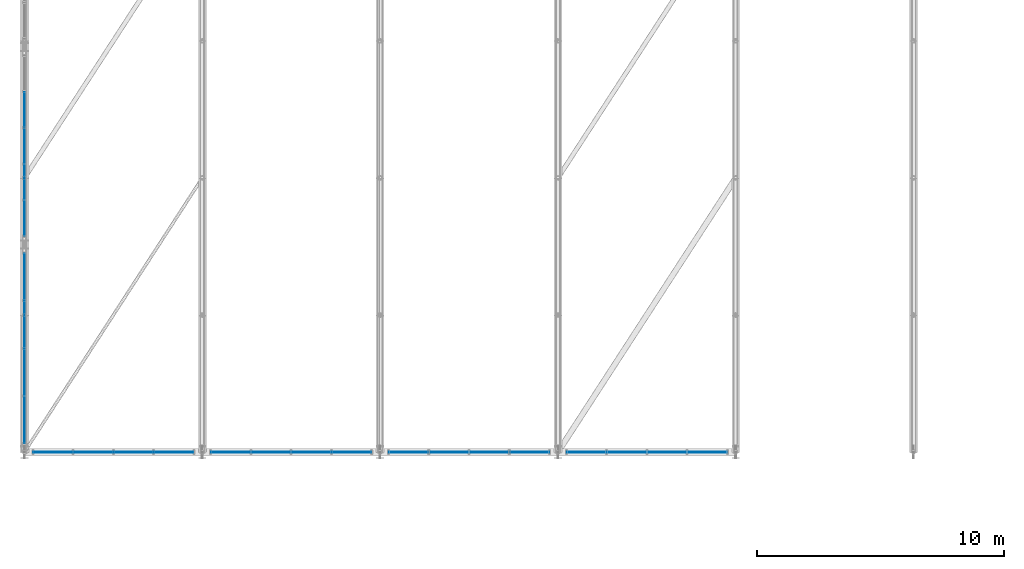
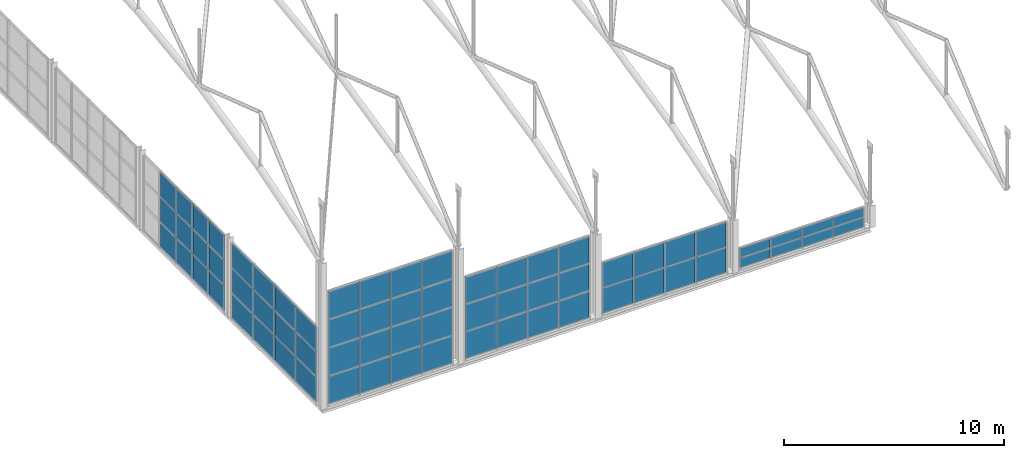
# One storey, part 120 of 153: 68 plates, 6 elements without a shape of their own.
"""IFC4 building model written with IfcOpenShell, lengths in metres."""

from ifc_helpers import new_model, si_unit, derived_unit, direction, frame, origin, origin_2d, place, context, subcontext, project, spatial, rectangle, extrude, material, layer, layer_set, type_object, element, aggregate, save


model = new_model("IFC4")

# Units and contexts
model_context = context("Model", 3, precision=1e-05, world=origin(), true_north=direction((0.0, 1.0)))
body_context = subcontext(model_context, "Body", "Model", "MODEL_VIEW")
ifc_project = project(units=[si_unit("LENGTHUNIT", "METRE"), si_unit("AREAUNIT", "SQUARE_METRE"), si_unit("VOLUMEUNIT", "CUBIC_METRE"), si_unit("PLANEANGLEUNIT", "RADIAN"), si_unit("MASSUNIT", "GRAM", prefix="KILO"), derived_unit("THERMALTRANSMITTANCEUNIT", [(si_unit("POWERUNIT", "WATT"), 1), (si_unit("LENGTHUNIT", "METRE"), -2), (si_unit("THERMODYNAMICTEMPERATUREUNIT", "KELVIN"), -1)])], contexts=[model_context])

# Site, building, storey
site_placement = place(None, origin())
site = spatial("IfcSite", under=ifc_project, at=site_placement, CompositionType="ELEMENT")
building_placement = place(site_placement, origin())
building = spatial("IfcBuilding", under=site, at=building_placement, Name="Keldorne Ridge Multi-Sports Centre", CompositionType="ELEMENT")
storey_placement = place(building_placement, frame((0.0, 0.0, 9.60009765625)))
storey = spatial("IfcBuildingStorey", under=building, at=storey_placement, Name="L02", CompositionType="ELEMENT", Elevation=9.60009765625)

# Curtain wall, plates
ifc_material_1 = material(Name="Anodized aluminium", Category="aluminium")
curtain_wall_type_1 = type_object("IfcCurtainWallType", Name="CW-CW-02", PredefinedType="NOTDEFINED", material=ifc_material_1)
curtain_wall_1_placement = place(storey_placement, origin())
curtain_wall_1 = element("IfcCurtainWall", 1, at=curtain_wall_1_placement, inside=storey, type_object=curtain_wall_type_1, Name="Main Hall south high clerestory 002", PredefinedType="NOTDEFINED")
ifc_material_2 = material(Name="Double low-e insulated glazing", Category="glass")
ifc_layer = layer(ifc_material_2, 0.035888671875)
ifc_layer_set = layer_set([ifc_layer])
plate_type = type_object("IfcPlateType", Name="PLT-GL-01", PredefinedType="CURTAIN_PANEL", material=ifc_layer_set)
plate_1_placement = place(storey_placement, frame((7.155029296875, 9.60009765625, 0.02001953125), z_axis=(0.0, 0.0, 1.0), x_axis=(1.0, 0.0, 0.0)))
plate_1 = element("IfcPlate", 2, at=plate_1_placement, type_object=plate_type, Name="CW-002 glazed panel 1.1", PredefinedType="CURTAIN_PANEL", context=body_context, shape_type="SweptSolid", body=[
    extrude(rectangle(XDim=1.590087890625, YDim=0.035888671875, at=origin_2d()), origin(), (0.0, 0.0, 1.0), 1.530029296875),
])
plate_2_placement = place(storey_placement, frame((7.155029296875, 9.60009765625, 1.58984375), z_axis=(0.0, 0.0, 1.0), x_axis=(1.0, 0.0, 0.0)))
plate_2 = element("IfcPlate", 3, at=plate_2_placement, type_object=plate_type, Name="CW-002 glazed panel 1.2", PredefinedType="CURTAIN_PANEL", context=body_context, shape_type="SweptSolid", body=[
    extrude(rectangle(XDim=1.590087890625, YDim=0.035888671875, at=origin_2d()), origin(), (0.0, 0.0, 1.0), 1.530029296875),
])
plate_3_placement = place(storey_placement, frame((7.155029296875, 9.60009765625, 3.15966796875), z_axis=(0.0, 0.0, 1.0), x_axis=(1.0, 0.0, 0.0)))
plate_3 = element("IfcPlate", 4, at=plate_3_placement, type_object=plate_type, Name="CW-002 glazed panel 1.3", PredefinedType="CURTAIN_PANEL", context=body_context, shape_type="SweptSolid", body=[
    extrude(rectangle(XDim=1.590087890625, YDim=0.035888671875, at=origin_2d()), origin(), (0.0, 0.0, 1.0), 1.530029296875),
])
plate_4_placement = place(storey_placement, frame((7.155029296875, 9.60009765625, 4.72998046875), z_axis=(0.0, 0.0, 1.0), x_axis=(1.0, 0.0, 0.0)))
plate_4 = element("IfcPlate", 5, at=plate_4_placement, type_object=plate_type, Name="CW-002 glazed panel 1.4", PredefinedType="CURTAIN_PANEL", context=body_context, shape_type="SweptSolid", body=[
    extrude(rectangle(XDim=1.590087890625, YDim=0.035888671875, at=origin_2d()), origin(), (0.0, 0.0, 1.0), 1.530029296875),
])
plate_5_placement = place(storey_placement, frame((8.784912109375, 9.60009765625, 0.02001953125), z_axis=(0.0, 0.0, 1.0), x_axis=(1.0, 0.0, 0.0)))
plate_5 = element("IfcPlate", 6, at=plate_5_placement, type_object=plate_type, Name="CW-002 glazed panel 2.1", PredefinedType="CURTAIN_PANEL", context=body_context, shape_type="SweptSolid", body=[
    extrude(rectangle(XDim=1.590087890625, YDim=0.035888671875, at=origin_2d()), origin(), (0.0, 0.0, 1.0), 1.530029296875),
])
plate_6_placement = place(storey_placement, frame((8.784912109375, 9.60009765625, 1.58984375), z_axis=(0.0, 0.0, 1.0), x_axis=(1.0, 0.0, 0.0)))
plate_6 = element("IfcPlate", 7, at=plate_6_placement, type_object=plate_type, Name="CW-002 glazed panel 2.2", PredefinedType="CURTAIN_PANEL", context=body_context, shape_type="SweptSolid", body=[
    extrude(rectangle(XDim=1.590087890625, YDim=0.035888671875, at=origin_2d()), origin(), (0.0, 0.0, 1.0), 1.530029296875),
])
plate_7_placement = place(storey_placement, frame((8.784912109375, 9.60009765625, 3.15966796875), z_axis=(0.0, 0.0, 1.0), x_axis=(1.0, 0.0, 0.0)))
plate_7 = element("IfcPlate", 8, at=plate_7_placement, type_object=plate_type, Name="CW-002 glazed panel 2.3", PredefinedType="CURTAIN_PANEL", context=body_context, shape_type="SweptSolid", body=[
    extrude(rectangle(XDim=1.590087890625, YDim=0.035888671875, at=origin_2d()), origin(), (0.0, 0.0, 1.0), 1.530029296875),
])
plate_8_placement = place(storey_placement, frame((8.784912109375, 9.60009765625, 4.72998046875), z_axis=(0.0, 0.0, 1.0), x_axis=(1.0, 0.0, 0.0)))
plate_8 = element("IfcPlate", 9, at=plate_8_placement, type_object=plate_type, Name="CW-002 glazed panel 2.4", PredefinedType="CURTAIN_PANEL", context=body_context, shape_type="SweptSolid", body=[
    extrude(rectangle(XDim=1.590087890625, YDim=0.035888671875, at=origin_2d()), origin(), (0.0, 0.0, 1.0), 1.530029296875),
])
plate_9_placement = place(storey_placement, frame((10.4150390625, 9.60009765625, 0.02001953125), z_axis=(0.0, 0.0, 1.0), x_axis=(1.0, 0.0, 0.0)))
plate_9 = element("IfcPlate", 10, at=plate_9_placement, type_object=plate_type, Name="CW-002 glazed panel 3.1", PredefinedType="CURTAIN_PANEL", context=body_context, shape_type="SweptSolid", body=[
    extrude(rectangle(XDim=1.590087890625, YDim=0.035888671875, at=origin_2d()), origin(), (0.0, 0.0, 1.0), 1.530029296875),
])
plate_10_placement = place(storey_placement, frame((10.4150390625, 9.60009765625, 1.58984375), z_axis=(0.0, 0.0, 1.0), x_axis=(1.0, 0.0, 0.0)))
plate_10 = element("IfcPlate", 11, at=plate_10_placement, type_object=plate_type, Name="CW-002 glazed panel 3.2", PredefinedType="CURTAIN_PANEL", context=body_context, shape_type="SweptSolid", body=[
    extrude(rectangle(XDim=1.590087890625, YDim=0.035888671875, at=origin_2d()), origin(), (0.0, 0.0, 1.0), 1.530029296875),
])
plate_11_placement = place(storey_placement, frame((10.4150390625, 9.60009765625, 3.15966796875), z_axis=(0.0, 0.0, 1.0), x_axis=(1.0, 0.0, 0.0)))
plate_11 = element("IfcPlate", 12, at=plate_11_placement, type_object=plate_type, Name="CW-002 glazed panel 3.3", PredefinedType="CURTAIN_PANEL", context=body_context, shape_type="SweptSolid", body=[
    extrude(rectangle(XDim=1.590087890625, YDim=0.035888671875, at=origin_2d()), origin(), (0.0, 0.0, 1.0), 1.530029296875),
])
plate_12_placement = place(storey_placement, frame((10.4150390625, 9.60009765625, 4.72998046875), z_axis=(0.0, 0.0, 1.0), x_axis=(1.0, 0.0, 0.0)))
plate_12 = element("IfcPlate", 13, at=plate_12_placement, type_object=plate_type, Name="CW-002 glazed panel 3.4", PredefinedType="CURTAIN_PANEL", context=body_context, shape_type="SweptSolid", body=[
    extrude(rectangle(XDim=1.590087890625, YDim=0.035888671875, at=origin_2d()), origin(), (0.0, 0.0, 1.0), 1.530029296875),
])
plate_13_placement = place(storey_placement, frame((12.044921875, 9.60009765625, 0.02001953125), z_axis=(0.0, 0.0, 1.0), x_axis=(1.0, 0.0, 0.0)))
plate_13 = element("IfcPlate", 14, at=plate_13_placement, type_object=plate_type, Name="CW-002 glazed panel 4.1", PredefinedType="CURTAIN_PANEL", context=body_context, shape_type="SweptSolid", body=[
    extrude(rectangle(XDim=1.590087890625, YDim=0.035888671875, at=origin_2d()), origin(), (0.0, 0.0, 1.0), 1.530029296875),
])
plate_14_placement = place(storey_placement, frame((12.044921875, 9.60009765625, 1.58984375), z_axis=(0.0, 0.0, 1.0), x_axis=(1.0, 0.0, 0.0)))
plate_14 = element("IfcPlate", 15, at=plate_14_placement, type_object=plate_type, Name="CW-002 glazed panel 4.2", PredefinedType="CURTAIN_PANEL", context=body_context, shape_type="SweptSolid", body=[
    extrude(rectangle(XDim=1.590087890625, YDim=0.035888671875, at=origin_2d()), origin(), (0.0, 0.0, 1.0), 1.530029296875),
])
plate_15_placement = place(storey_placement, frame((12.044921875, 9.60009765625, 3.15966796875), z_axis=(0.0, 0.0, 1.0), x_axis=(1.0, 0.0, 0.0)))
plate_15 = element("IfcPlate", 16, at=plate_15_placement, type_object=plate_type, Name="CW-002 glazed panel 4.3", PredefinedType="CURTAIN_PANEL", context=body_context, shape_type="SweptSolid", body=[
    extrude(rectangle(XDim=1.590087890625, YDim=0.035888671875, at=origin_2d()), origin(), (0.0, 0.0, 1.0), 1.530029296875),
])
plate_16_placement = place(storey_placement, frame((12.044921875, 9.60009765625, 4.72998046875), z_axis=(0.0, 0.0, 1.0), x_axis=(1.0, 0.0, 0.0)))
plate_16 = element("IfcPlate", 17, at=plate_16_placement, type_object=plate_type, Name="CW-002 glazed panel 4.4", PredefinedType="CURTAIN_PANEL", context=body_context, shape_type="SweptSolid", body=[
    extrude(rectangle(XDim=1.590087890625, YDim=0.035888671875, at=origin_2d()), origin(), (0.0, 0.0, 1.0), 1.530029296875),
])
aggregate(curtain_wall_1, [plate_1, plate_2, plate_3, plate_4, plate_5, plate_6, plate_7, plate_8, plate_9, plate_10, plate_11, plate_12, plate_13, plate_14, plate_15, plate_16])

curtain_wall_type_2 = type_object("IfcCurtainWallType", Name="CW-CW-05", PredefinedType="NOTDEFINED", material=ifc_material_1)
curtain_wall_2_placement = place(storey_placement, origin())
curtain_wall_2 = element("IfcCurtainWall", 18, at=curtain_wall_2_placement, inside=storey, type_object=curtain_wall_type_2, Name="Main Hall south high clerestory 005", PredefinedType="NOTDEFINED")
plate_17_placement = place(storey_placement, frame((14.35498046875, 9.60009765625, 0.02001953125), z_axis=(0.0, 0.0, 1.0), x_axis=(1.0, 0.0, 0.0)))
plate_17 = element("IfcPlate", 19, at=plate_17_placement, type_object=plate_type, Name="CW-005 glazed panel 1.1", PredefinedType="CURTAIN_PANEL", context=body_context, shape_type="SweptSolid", body=[
    extrude(rectangle(XDim=1.590087890625, YDim=0.035888671875, at=origin_2d()), origin(), (0.0, 0.0, 1.0), 1.47998046875),
])
plate_18_placement = place(storey_placement, frame((14.35498046875, 9.60009765625, 1.539794921875), z_axis=(0.0, 0.0, 1.0), x_axis=(1.0, 0.0, 0.0)))
plate_18 = element("IfcPlate", 20, at=plate_18_placement, type_object=plate_type, Name="CW-005 glazed panel 1.2", PredefinedType="CURTAIN_PANEL", context=body_context, shape_type="SweptSolid", body=[
    extrude(rectangle(XDim=1.590087890625, YDim=0.035888671875, at=origin_2d()), origin(), (0.0, 0.0, 1.0), 1.47998046875),
])
plate_19_placement = place(storey_placement, frame((14.35498046875, 9.60009765625, 3.059814453125), z_axis=(0.0, 0.0, 1.0), x_axis=(1.0, 0.0, 0.0)))
plate_19 = element("IfcPlate", 21, at=plate_19_placement, type_object=plate_type, Name="CW-005 glazed panel 1.3", PredefinedType="CURTAIN_PANEL", context=body_context, shape_type="SweptSolid", body=[
    extrude(rectangle(XDim=1.590087890625, YDim=0.035888671875, at=origin_2d()), origin(), (0.0, 0.0, 1.0), 1.47998046875),
])
plate_20_placement = place(storey_placement, frame((15.985107421875, 9.60009765625, 0.02001953125), z_axis=(0.0, 0.0, 1.0), x_axis=(1.0, 0.0, 0.0)))
plate_20 = element("IfcPlate", 22, at=plate_20_placement, type_object=plate_type, Name="CW-005 glazed panel 2.1", PredefinedType="CURTAIN_PANEL", context=body_context, shape_type="SweptSolid", body=[
    extrude(rectangle(XDim=1.590087890625, YDim=0.035888671875, at=origin_2d()), origin(), (0.0, 0.0, 1.0), 1.47998046875),
])
plate_21_placement = place(storey_placement, frame((15.985107421875, 9.60009765625, 1.539794921875), z_axis=(0.0, 0.0, 1.0), x_axis=(1.0, 0.0, 0.0)))
plate_21 = element("IfcPlate", 23, at=plate_21_placement, type_object=plate_type, Name="CW-005 glazed panel 2.2", PredefinedType="CURTAIN_PANEL", context=body_context, shape_type="SweptSolid", body=[
    extrude(rectangle(XDim=1.590087890625, YDim=0.035888671875, at=origin_2d()), origin(), (0.0, 0.0, 1.0), 1.47998046875),
])
plate_22_placement = place(storey_placement, frame((15.985107421875, 9.60009765625, 3.059814453125), z_axis=(0.0, 0.0, 1.0), x_axis=(1.0, 0.0, 0.0)))
plate_22 = element("IfcPlate", 24, at=plate_22_placement, type_object=plate_type, Name="CW-005 glazed panel 2.3", PredefinedType="CURTAIN_PANEL", context=body_context, shape_type="SweptSolid", body=[
    extrude(rectangle(XDim=1.590087890625, YDim=0.035888671875, at=origin_2d()), origin(), (0.0, 0.0, 1.0), 1.47998046875),
])
plate_23_placement = place(storey_placement, frame((17.614990234375, 9.60009765625, 0.02001953125), z_axis=(0.0, 0.0, 1.0), x_axis=(1.0, 0.0, 0.0)))
plate_23 = element("IfcPlate", 25, at=plate_23_placement, type_object=plate_type, Name="CW-005 glazed panel 3.1", PredefinedType="CURTAIN_PANEL", context=body_context, shape_type="SweptSolid", body=[
    extrude(rectangle(XDim=1.590087890625, YDim=0.035888671875, at=origin_2d()), origin(), (0.0, 0.0, 1.0), 1.47998046875),
])
plate_24_placement = place(storey_placement, frame((17.614990234375, 9.60009765625, 1.539794921875), z_axis=(0.0, 0.0, 1.0), x_axis=(1.0, 0.0, 0.0)))
plate_24 = element("IfcPlate", 26, at=plate_24_placement, type_object=plate_type, Name="CW-005 glazed panel 3.2", PredefinedType="CURTAIN_PANEL", context=body_context, shape_type="SweptSolid", body=[
    extrude(rectangle(XDim=1.590087890625, YDim=0.035888671875, at=origin_2d()), origin(), (0.0, 0.0, 1.0), 1.47998046875),
])
plate_25_placement = place(storey_placement, frame((17.614990234375, 9.60009765625, 3.059814453125), z_axis=(0.0, 0.0, 1.0), x_axis=(1.0, 0.0, 0.0)))
plate_25 = element("IfcPlate", 27, at=plate_25_placement, type_object=plate_type, Name="CW-005 glazed panel 3.3", PredefinedType="CURTAIN_PANEL", context=body_context, shape_type="SweptSolid", body=[
    extrude(rectangle(XDim=1.590087890625, YDim=0.035888671875, at=origin_2d()), origin(), (0.0, 0.0, 1.0), 1.47998046875),
])
plate_26_placement = place(storey_placement, frame((19.2451171875, 9.60009765625, 0.02001953125), z_axis=(0.0, 0.0, 1.0), x_axis=(1.0, 0.0, 0.0)))
plate_26 = element("IfcPlate", 28, at=plate_26_placement, type_object=plate_type, Name="CW-005 glazed panel 4.1", PredefinedType="CURTAIN_PANEL", context=body_context, shape_type="SweptSolid", body=[
    extrude(rectangle(XDim=1.590087890625, YDim=0.035888671875, at=origin_2d()), origin(), (0.0, 0.0, 1.0), 1.47998046875),
])
plate_27_placement = place(storey_placement, frame((19.2451171875, 9.60009765625, 1.539794921875), z_axis=(0.0, 0.0, 1.0), x_axis=(1.0, 0.0, 0.0)))
plate_27 = element("IfcPlate", 29, at=plate_27_placement, type_object=plate_type, Name="CW-005 glazed panel 4.2", PredefinedType="CURTAIN_PANEL", context=body_context, shape_type="SweptSolid", body=[
    extrude(rectangle(XDim=1.590087890625, YDim=0.035888671875, at=origin_2d()), origin(), (0.0, 0.0, 1.0), 1.47998046875),
])
plate_28_placement = place(storey_placement, frame((19.2451171875, 9.60009765625, 3.059814453125), z_axis=(0.0, 0.0, 1.0), x_axis=(1.0, 0.0, 0.0)))
plate_28 = element("IfcPlate", 30, at=plate_28_placement, type_object=plate_type, Name="CW-005 glazed panel 4.3", PredefinedType="CURTAIN_PANEL", context=body_context, shape_type="SweptSolid", body=[
    extrude(rectangle(XDim=1.590087890625, YDim=0.035888671875, at=origin_2d()), origin(), (0.0, 0.0, 1.0), 1.47998046875),
])
aggregate(curtain_wall_2, [plate_17, plate_18, plate_19, plate_20, plate_21, plate_22, plate_23, plate_24, plate_25, plate_26, plate_27, plate_28])

curtain_wall_type_3 = type_object("IfcCurtainWallType", Name="CW-CW-08", PredefinedType="NOTDEFINED", material=ifc_material_1)
curtain_wall_3_placement = place(storey_placement, origin())
curtain_wall_3 = element("IfcCurtainWall", 31, at=curtain_wall_3_placement, inside=storey, type_object=curtain_wall_type_3, Name="Main Hall south high clerestory 008", PredefinedType="NOTDEFINED")
plate_29_placement = place(storey_placement, frame((21.554931640625, 9.60009765625, 0.02001953125), z_axis=(0.0, 0.0, 1.0), x_axis=(1.0, 0.0, 0.0)))
plate_29 = element("IfcPlate", 32, at=plate_29_placement, type_object=plate_type, Name="CW-008 glazed panel 1.1", PredefinedType="CURTAIN_PANEL", context=body_context, shape_type="SweptSolid", body=[
    extrude(rectangle(XDim=1.590087890625, YDim=0.035888671875, at=origin_2d()), origin(), (0.0, 0.0, 1.0), 1.3798828125),
])
plate_30_placement = place(storey_placement, frame((21.554931640625, 9.60009765625, 1.43994140625), z_axis=(0.0, 0.0, 1.0), x_axis=(1.0, 0.0, 0.0)))
plate_30 = element("IfcPlate", 33, at=plate_30_placement, type_object=plate_type, Name="CW-008 glazed panel 1.2", PredefinedType="CURTAIN_PANEL", context=body_context, shape_type="SweptSolid", body=[
    extrude(rectangle(XDim=1.590087890625, YDim=0.035888671875, at=origin_2d()), origin(), (0.0, 0.0, 1.0), 1.3798828125),
])
plate_31_placement = place(storey_placement, frame((23.18505859375, 9.60009765625, 0.02001953125), z_axis=(0.0, 0.0, 1.0), x_axis=(1.0, 0.0, 0.0)))
plate_31 = element("IfcPlate", 34, at=plate_31_placement, type_object=plate_type, Name="CW-008 glazed panel 2.1", PredefinedType="CURTAIN_PANEL", context=body_context, shape_type="SweptSolid", body=[
    extrude(rectangle(XDim=1.590087890625, YDim=0.035888671875, at=origin_2d()), origin(), (0.0, 0.0, 1.0), 1.3798828125),
])
plate_32_placement = place(storey_placement, frame((23.18505859375, 9.60009765625, 1.43994140625), z_axis=(0.0, 0.0, 1.0), x_axis=(1.0, 0.0, 0.0)))
plate_32 = element("IfcPlate", 35, at=plate_32_placement, type_object=plate_type, Name="CW-008 glazed panel 2.2", PredefinedType="CURTAIN_PANEL", context=body_context, shape_type="SweptSolid", body=[
    extrude(rectangle(XDim=1.590087890625, YDim=0.035888671875, at=origin_2d()), origin(), (0.0, 0.0, 1.0), 1.3798828125),
])
plate_33_placement = place(storey_placement, frame((24.81494140625, 9.60009765625, 0.02001953125), z_axis=(0.0, 0.0, 1.0), x_axis=(1.0, 0.0, 0.0)))
plate_33 = element("IfcPlate", 36, at=plate_33_placement, type_object=plate_type, Name="CW-008 glazed panel 3.1", PredefinedType="CURTAIN_PANEL", context=body_context, shape_type="SweptSolid", body=[
    extrude(rectangle(XDim=1.590087890625, YDim=0.035888671875, at=origin_2d()), origin(), (0.0, 0.0, 1.0), 1.3798828125),
])
plate_34_placement = place(storey_placement, frame((24.81494140625, 9.60009765625, 1.43994140625), z_axis=(0.0, 0.0, 1.0), x_axis=(1.0, 0.0, 0.0)))
plate_34 = element("IfcPlate", 37, at=plate_34_placement, type_object=plate_type, Name="CW-008 glazed panel 3.2", PredefinedType="CURTAIN_PANEL", context=body_context, shape_type="SweptSolid", body=[
    extrude(rectangle(XDim=1.590087890625, YDim=0.035888671875, at=origin_2d()), origin(), (0.0, 0.0, 1.0), 1.3798828125),
])
plate_35_placement = place(storey_placement, frame((26.445068359375, 9.60009765625, 0.02001953125), z_axis=(0.0, 0.0, 1.0), x_axis=(1.0, 0.0, 0.0)))
plate_35 = element("IfcPlate", 38, at=plate_35_placement, type_object=plate_type, Name="CW-008 glazed panel 4.1", PredefinedType="CURTAIN_PANEL", context=body_context, shape_type="SweptSolid", body=[
    extrude(rectangle(XDim=1.590087890625, YDim=0.035888671875, at=origin_2d()), origin(), (0.0, 0.0, 1.0), 1.3798828125),
])
plate_36_placement = place(storey_placement, frame((26.445068359375, 9.60009765625, 1.43994140625), z_axis=(0.0, 0.0, 1.0), x_axis=(1.0, 0.0, 0.0)))
plate_36 = element("IfcPlate", 39, at=plate_36_placement, type_object=plate_type, Name="CW-008 glazed panel 4.2", PredefinedType="CURTAIN_PANEL", context=body_context, shape_type="SweptSolid", body=[
    extrude(rectangle(XDim=1.590087890625, YDim=0.035888671875, at=origin_2d()), origin(), (0.0, 0.0, 1.0), 1.3798828125),
])
aggregate(curtain_wall_3, [plate_29, plate_30, plate_31, plate_32, plate_33, plate_34, plate_35, plate_36])

curtain_wall_type_4 = type_object("IfcCurtainWallType", Name="CW-CW-03", PredefinedType="NOTDEFINED", material=ifc_material_1)
curtain_wall_4_placement = place(storey_placement, origin())
curtain_wall_4 = element("IfcCurtainWall", 40, at=curtain_wall_4_placement, inside=storey, type_object=curtain_wall_type_4, Name="Main Hall south high clerestory 011", PredefinedType="NOTDEFINED")
plate_37_placement = place(storey_placement, frame((28.7548828125, 9.60009765625, 0.019775390625), z_axis=(0.0, 0.0, 1.0), x_axis=(1.0, 0.0, 0.0)))
plate_37 = element("IfcPlate", 41, at=plate_37_placement, type_object=plate_type, Name="CW-011 glazed panel 1.1", PredefinedType="CURTAIN_PANEL", context=body_context, shape_type="SweptSolid", body=[
    extrude(rectangle(XDim=1.590087890625, YDim=0.035888671875, at=origin_2d()), origin(), (0.0, 0.0, 1.0), 0.52001953125),
])
plate_38_placement = place(storey_placement, frame((28.7548828125, 9.60009765625, 0.579833984375), z_axis=(0.0, 0.0, 1.0), x_axis=(1.0, 0.0, 0.0)))
plate_38 = element("IfcPlate", 42, at=plate_38_placement, type_object=plate_type, Name="CW-011 glazed panel 1.2", PredefinedType="CURTAIN_PANEL", context=body_context, shape_type="SweptSolid", body=[
    extrude(rectangle(XDim=1.590087890625, YDim=0.035888671875, at=origin_2d()), origin(), (0.0, 0.0, 1.0), 0.52001953125),
])
plate_39_placement = place(storey_placement, frame((30.385009765625, 9.60009765625, 0.019775390625), z_axis=(0.0, 0.0, 1.0), x_axis=(1.0, 0.0, 0.0)))
plate_39 = element("IfcPlate", 43, at=plate_39_placement, type_object=plate_type, Name="CW-011 glazed panel 2.1", PredefinedType="CURTAIN_PANEL", context=body_context, shape_type="SweptSolid", body=[
    extrude(rectangle(XDim=1.590087890625, YDim=0.035888671875, at=origin_2d()), origin(), (0.0, 0.0, 1.0), 0.52001953125),
])
plate_40_placement = place(storey_placement, frame((30.385009765625, 9.60009765625, 0.579833984375), z_axis=(0.0, 0.0, 1.0), x_axis=(1.0, 0.0, 0.0)))
plate_40 = element("IfcPlate", 44, at=plate_40_placement, type_object=plate_type, Name="CW-011 glazed panel 2.2", PredefinedType="CURTAIN_PANEL", context=body_context, shape_type="SweptSolid", body=[
    extrude(rectangle(XDim=1.590087890625, YDim=0.035888671875, at=origin_2d()), origin(), (0.0, 0.0, 1.0), 0.52001953125),
])
plate_41_placement = place(storey_placement, frame((32.014892578125, 9.60009765625, 0.019775390625), z_axis=(0.0, 0.0, 1.0), x_axis=(1.0, 0.0, 0.0)))
plate_41 = element("IfcPlate", 45, at=plate_41_placement, type_object=plate_type, Name="CW-011 glazed panel 3.1", PredefinedType="CURTAIN_PANEL", context=body_context, shape_type="SweptSolid", body=[
    extrude(rectangle(XDim=1.590087890625, YDim=0.035888671875, at=origin_2d()), origin(), (0.0, 0.0, 1.0), 0.52001953125),
])
plate_42_placement = place(storey_placement, frame((32.014892578125, 9.60009765625, 0.579833984375), z_axis=(0.0, 0.0, 1.0), x_axis=(1.0, 0.0, 0.0)))
plate_42 = element("IfcPlate", 46, at=plate_42_placement, type_object=plate_type, Name="CW-011 glazed panel 3.2", PredefinedType="CURTAIN_PANEL", context=body_context, shape_type="SweptSolid", body=[
    extrude(rectangle(XDim=1.590087890625, YDim=0.035888671875, at=origin_2d()), origin(), (0.0, 0.0, 1.0), 0.52001953125),
])
plate_43_placement = place(storey_placement, frame((33.64501953125, 9.60009765625, 0.019775390625), z_axis=(0.0, 0.0, 1.0), x_axis=(1.0, 0.0, 0.0)))
plate_43 = element("IfcPlate", 47, at=plate_43_placement, type_object=plate_type, Name="CW-011 glazed panel 4.1", PredefinedType="CURTAIN_PANEL", context=body_context, shape_type="SweptSolid", body=[
    extrude(rectangle(XDim=1.590087890625, YDim=0.035888671875, at=origin_2d()), origin(), (0.0, 0.0, 1.0), 0.52001953125),
])
plate_44_placement = place(storey_placement, frame((33.64501953125, 9.60009765625, 0.579833984375), z_axis=(0.0, 0.0, 1.0), x_axis=(1.0, 0.0, 0.0)))
plate_44 = element("IfcPlate", 48, at=plate_44_placement, type_object=plate_type, Name="CW-011 glazed panel 4.2", PredefinedType="CURTAIN_PANEL", context=body_context, shape_type="SweptSolid", body=[
    extrude(rectangle(XDim=1.590087890625, YDim=0.035888671875, at=origin_2d()), origin(), (0.0, 0.0, 1.0), 0.52001953125),
])
aggregate(curtain_wall_4, [plate_37, plate_38, plate_39, plate_40, plate_41, plate_42, plate_43, plate_44])

curtain_wall_5_placement = place(storey_placement, origin())
curtain_wall_5 = element("IfcCurtainWall", 49, at=curtain_wall_5_placement, inside=storey, type_object=curtain_wall_type_2, Name="Main Hall west high gable glazing 029", PredefinedType="NOTDEFINED")
plate_45_placement = place(storey_placement, frame((6.0, 16.695068359375, 0.02001953125), z_axis=(0.0, 0.0, 1.0), x_axis=(0.0, -1.0, 0.0)))
plate_45 = element("IfcPlate", 50, at=plate_45_placement, type_object=plate_type, Name="CW-029 glazed panel 1.1", PredefinedType="CURTAIN_PANEL", context=body_context, shape_type="SweptSolid", body=[
    extrude(rectangle(XDim=1.889892578125, YDim=0.035888671875, at=origin_2d()), origin(), (0.0, 0.0, 1.0), 1.360107421875),
])
plate_46_placement = place(storey_placement, frame((6.0, 16.695068359375, 1.419921875), z_axis=(0.0, 0.0, 1.0), x_axis=(0.0, -1.0, 0.0)))
plate_46 = element("IfcPlate", 51, at=plate_46_placement, type_object=plate_type, Name="CW-029 glazed panel 1.2", PredefinedType="CURTAIN_PANEL", context=body_context, shape_type="SweptSolid", body=[
    extrude(rectangle(XDim=1.889892578125, YDim=0.035888671875, at=origin_2d()), origin(), (0.0, 0.0, 1.0), 1.360107421875),
])
plate_47_placement = place(storey_placement, frame((6.0, 16.695068359375, 2.81982421875), z_axis=(0.0, 0.0, 1.0), x_axis=(0.0, -1.0, 0.0)))
plate_47 = element("IfcPlate", 52, at=plate_47_placement, type_object=plate_type, Name="CW-029 glazed panel 1.3", PredefinedType="CURTAIN_PANEL", context=body_context, shape_type="SweptSolid", body=[
    extrude(rectangle(XDim=1.889892578125, YDim=0.035888671875, at=origin_2d()), origin(), (0.0, 0.0, 1.0), 1.360107421875),
])
plate_48_placement = place(storey_placement, frame((6.0, 14.764892578125, 0.02001953125), z_axis=(0.0, 0.0, 1.0), x_axis=(0.0, -1.0, 0.0)))
plate_48 = element("IfcPlate", 53, at=plate_48_placement, type_object=plate_type, Name="CW-029 glazed panel 2.1", PredefinedType="CURTAIN_PANEL", context=body_context, shape_type="SweptSolid", body=[
    extrude(rectangle(XDim=1.889892578125, YDim=0.035888671875, at=origin_2d()), origin(), (0.0, 0.0, 1.0), 1.360107421875),
])
plate_49_placement = place(storey_placement, frame((6.0, 14.764892578125, 1.419921875), z_axis=(0.0, 0.0, 1.0), x_axis=(0.0, -1.0, 0.0)))
plate_49 = element("IfcPlate", 54, at=plate_49_placement, type_object=plate_type, Name="CW-029 glazed panel 2.2", PredefinedType="CURTAIN_PANEL", context=body_context, shape_type="SweptSolid", body=[
    extrude(rectangle(XDim=1.889892578125, YDim=0.035888671875, at=origin_2d()), origin(), (0.0, 0.0, 1.0), 1.360107421875),
])
plate_50_placement = place(storey_placement, frame((6.0, 14.764892578125, 2.81982421875), z_axis=(0.0, 0.0, 1.0), x_axis=(0.0, -1.0, 0.0)))
plate_50 = element("IfcPlate", 55, at=plate_50_placement, type_object=plate_type, Name="CW-029 glazed panel 2.3", PredefinedType="CURTAIN_PANEL", context=body_context, shape_type="SweptSolid", body=[
    extrude(rectangle(XDim=1.889892578125, YDim=0.035888671875, at=origin_2d()), origin(), (0.0, 0.0, 1.0), 1.360107421875),
])
plate_51_placement = place(storey_placement, frame((6.0, 12.8349609375, 0.02001953125), z_axis=(0.0, 0.0, 1.0), x_axis=(0.0, -1.0, 0.0)))
plate_51 = element("IfcPlate", 56, at=plate_51_placement, type_object=plate_type, Name="CW-029 glazed panel 3.1", PredefinedType="CURTAIN_PANEL", context=body_context, shape_type="SweptSolid", body=[
    extrude(rectangle(XDim=1.889892578125, YDim=0.035888671875, at=origin_2d()), origin(), (0.0, 0.0, 1.0), 1.360107421875),
])
plate_52_placement = place(storey_placement, frame((6.0, 12.8349609375, 1.419921875), z_axis=(0.0, 0.0, 1.0), x_axis=(0.0, -1.0, 0.0)))
plate_52 = element("IfcPlate", 57, at=plate_52_placement, type_object=plate_type, Name="CW-029 glazed panel 3.2", PredefinedType="CURTAIN_PANEL", context=body_context, shape_type="SweptSolid", body=[
    extrude(rectangle(XDim=1.889892578125, YDim=0.035888671875, at=origin_2d()), origin(), (0.0, 0.0, 1.0), 1.360107421875),
])
plate_53_placement = place(storey_placement, frame((6.0, 12.8349609375, 2.81982421875), z_axis=(0.0, 0.0, 1.0), x_axis=(0.0, -1.0, 0.0)))
plate_53 = element("IfcPlate", 58, at=plate_53_placement, type_object=plate_type, Name="CW-029 glazed panel 3.3", PredefinedType="CURTAIN_PANEL", context=body_context, shape_type="SweptSolid", body=[
    extrude(rectangle(XDim=1.889892578125, YDim=0.035888671875, at=origin_2d()), origin(), (0.0, 0.0, 1.0), 1.360107421875),
])
plate_54_placement = place(storey_placement, frame((6.0, 10.905029296875, 0.02001953125), z_axis=(0.0, 0.0, 1.0), x_axis=(0.0, -1.0, 0.0)))
plate_54 = element("IfcPlate", 59, at=plate_54_placement, type_object=plate_type, Name="CW-029 glazed panel 4.1", PredefinedType="CURTAIN_PANEL", context=body_context, shape_type="SweptSolid", body=[
    extrude(rectangle(XDim=1.889892578125, YDim=0.035888671875, at=origin_2d()), origin(), (0.0, 0.0, 1.0), 1.360107421875),
])
plate_55_placement = place(storey_placement, frame((6.0, 10.905029296875, 1.419921875), z_axis=(0.0, 0.0, 1.0), x_axis=(0.0, -1.0, 0.0)))
plate_55 = element("IfcPlate", 60, at=plate_55_placement, type_object=plate_type, Name="CW-029 glazed panel 4.2", PredefinedType="CURTAIN_PANEL", context=body_context, shape_type="SweptSolid", body=[
    extrude(rectangle(XDim=1.889892578125, YDim=0.035888671875, at=origin_2d()), origin(), (0.0, 0.0, 1.0), 1.360107421875),
])
plate_56_placement = place(storey_placement, frame((6.0, 10.905029296875, 2.81982421875), z_axis=(0.0, 0.0, 1.0), x_axis=(0.0, -1.0, 0.0)))
plate_56 = element("IfcPlate", 61, at=plate_56_placement, type_object=plate_type, Name="CW-029 glazed panel 4.3", PredefinedType="CURTAIN_PANEL", context=body_context, shape_type="SweptSolid", body=[
    extrude(rectangle(XDim=1.889892578125, YDim=0.035888671875, at=origin_2d()), origin(), (0.0, 0.0, 1.0), 1.360107421875),
])
aggregate(curtain_wall_5, [plate_45, plate_46, plate_47, plate_48, plate_49, plate_50, plate_51, plate_52, plate_53, plate_54, plate_55, plate_56])

curtain_wall_type_5 = type_object("IfcCurtainWallType", Name="CW-CW-06", PredefinedType="NOTDEFINED", material=ifc_material_1)
curtain_wall_6_placement = place(storey_placement, origin())
curtain_wall_6 = element("IfcCurtainWall", 62, at=curtain_wall_6_placement, inside=storey, type_object=curtain_wall_type_5, Name="Main Hall west high gable glazing 030", PredefinedType="NOTDEFINED")
plate_57_placement = place(storey_placement, frame((6.0, 23.464111328125, 0.02001953125), z_axis=(0.0, 0.0, 1.0), x_axis=(0.0, -1.0, 0.0)))
plate_57 = element("IfcPlate", 63, at=plate_57_placement, type_object=plate_type, Name="CW-030 glazed panel 2.1", PredefinedType="CURTAIN_PANEL", context=body_context, shape_type="SweptSolid", body=[
    extrude(rectangle(XDim=1.424072265625, YDim=0.035888671875, at=origin_2d()), origin(), (0.0, 0.0, 1.0), 1.360107421875),
])
plate_58_placement = place(storey_placement, frame((6.0, 23.464111328125, 1.419921875), z_axis=(0.0, 0.0, 1.0), x_axis=(0.0, -1.0, 0.0)))
plate_58 = element("IfcPlate", 64, at=plate_58_placement, type_object=plate_type, Name="CW-030 glazed panel 2.2", PredefinedType="CURTAIN_PANEL", context=body_context, shape_type="SweptSolid", body=[
    extrude(rectangle(XDim=1.424072265625, YDim=0.035888671875, at=origin_2d()), origin(), (0.0, 0.0, 1.0), 1.360107421875),
])
plate_59_placement = place(storey_placement, frame((6.0, 23.464111328125, 2.81982421875), z_axis=(0.0, 0.0, 1.0), x_axis=(0.0, -1.0, 0.0)))
plate_59 = element("IfcPlate", 65, at=plate_59_placement, type_object=plate_type, Name="CW-030 glazed panel 2.3", PredefinedType="CURTAIN_PANEL", context=body_context, shape_type="SweptSolid", body=[
    extrude(rectangle(XDim=1.424072265625, YDim=0.035888671875, at=origin_2d()), origin(), (0.0, 0.0, 1.0), 1.360107421875),
])
plate_60_placement = place(storey_placement, frame((6.0, 22.0, 0.02001953125), z_axis=(0.0, 0.0, 1.0), x_axis=(0.0, -1.0, 0.0)))
plate_60 = element("IfcPlate", 66, at=plate_60_placement, type_object=plate_type, Name="CW-030 glazed panel 3.1", PredefinedType="CURTAIN_PANEL", context=body_context, shape_type="SweptSolid", body=[
    extrude(rectangle(XDim=1.424072265625, YDim=0.035888671875, at=origin_2d()), origin(), (0.0, 0.0, 1.0), 1.360107421875),
])
plate_61_placement = place(storey_placement, frame((6.0, 22.0, 1.419921875), z_axis=(0.0, 0.0, 1.0), x_axis=(0.0, -1.0, 0.0)))
plate_61 = element("IfcPlate", 67, at=plate_61_placement, type_object=plate_type, Name="CW-030 glazed panel 3.2", PredefinedType="CURTAIN_PANEL", context=body_context, shape_type="SweptSolid", body=[
    extrude(rectangle(XDim=1.424072265625, YDim=0.035888671875, at=origin_2d()), origin(), (0.0, 0.0, 1.0), 1.360107421875),
])
plate_62_placement = place(storey_placement, frame((6.0, 22.0, 2.81982421875), z_axis=(0.0, 0.0, 1.0), x_axis=(0.0, -1.0, 0.0)))
plate_62 = element("IfcPlate", 68, at=plate_62_placement, type_object=plate_type, Name="CW-030 glazed panel 3.3", PredefinedType="CURTAIN_PANEL", context=body_context, shape_type="SweptSolid", body=[
    extrude(rectangle(XDim=1.424072265625, YDim=0.035888671875, at=origin_2d()), origin(), (0.0, 0.0, 1.0), 1.360107421875),
])
plate_63_placement = place(storey_placement, frame((6.0, 20.535888671875, 0.02001953125), z_axis=(0.0, 0.0, 1.0), x_axis=(0.0, -1.0, 0.0)))
plate_63 = element("IfcPlate", 69, at=plate_63_placement, type_object=plate_type, Name="CW-030 glazed panel 4.1", PredefinedType="CURTAIN_PANEL", context=body_context, shape_type="SweptSolid", body=[
    extrude(rectangle(XDim=1.424072265625, YDim=0.035888671875, at=origin_2d()), origin(), (0.0, 0.0, 1.0), 1.360107421875),
])
plate_64_placement = place(storey_placement, frame((6.0, 20.535888671875, 1.419921875), z_axis=(0.0, 0.0, 1.0), x_axis=(0.0, -1.0, 0.0)))
plate_64 = element("IfcPlate", 70, at=plate_64_placement, type_object=plate_type, Name="CW-030 glazed panel 4.2", PredefinedType="CURTAIN_PANEL", context=body_context, shape_type="SweptSolid", body=[
    extrude(rectangle(XDim=1.424072265625, YDim=0.035888671875, at=origin_2d()), origin(), (0.0, 0.0, 1.0), 1.360107421875),
])
plate_65_placement = place(storey_placement, frame((6.0, 20.535888671875, 2.81982421875), z_axis=(0.0, 0.0, 1.0), x_axis=(0.0, -1.0, 0.0)))
plate_65 = element("IfcPlate", 71, at=plate_65_placement, type_object=plate_type, Name="CW-030 glazed panel 4.3", PredefinedType="CURTAIN_PANEL", context=body_context, shape_type="SweptSolid", body=[
    extrude(rectangle(XDim=1.424072265625, YDim=0.035888671875, at=origin_2d()), origin(), (0.0, 0.0, 1.0), 1.360107421875),
])
plate_66_placement = place(storey_placement, frame((6.0, 19.072021484375, 0.02001953125), z_axis=(0.0, 0.0, 1.0), x_axis=(0.0, -1.0, 0.0)))
plate_66 = element("IfcPlate", 72, at=plate_66_placement, type_object=plate_type, Name="CW-030 glazed panel 5.1", PredefinedType="CURTAIN_PANEL", context=body_context, shape_type="SweptSolid", body=[
    extrude(rectangle(XDim=1.424072265625, YDim=0.035888671875, at=origin_2d()), origin(), (0.0, 0.0, 1.0), 1.360107421875),
])
plate_67_placement = place(storey_placement, frame((6.0, 19.072021484375, 1.419921875), z_axis=(0.0, 0.0, 1.0), x_axis=(0.0, -1.0, 0.0)))
plate_67 = element("IfcPlate", 73, at=plate_67_placement, type_object=plate_type, Name="CW-030 glazed panel 5.2", PredefinedType="CURTAIN_PANEL", context=body_context, shape_type="SweptSolid", body=[
    extrude(rectangle(XDim=1.424072265625, YDim=0.035888671875, at=origin_2d()), origin(), (0.0, 0.0, 1.0), 1.360107421875),
])
plate_68_placement = place(storey_placement, frame((6.0, 19.072021484375, 2.81982421875), z_axis=(0.0, 0.0, 1.0), x_axis=(0.0, -1.0, 0.0)))
plate_68 = element("IfcPlate", 74, at=plate_68_placement, type_object=plate_type, Name="CW-030 glazed panel 5.3", PredefinedType="CURTAIN_PANEL", context=body_context, shape_type="SweptSolid", body=[
    extrude(rectangle(XDim=1.424072265625, YDim=0.035888671875, at=origin_2d()), origin(), (0.0, 0.0, 1.0), 1.360107421875),
])
aggregate(curtain_wall_6, [plate_57, plate_58, plate_59, plate_60, plate_61, plate_62, plate_63, plate_64, plate_65, plate_66, plate_67, plate_68])

save(model, "model.ifc")
